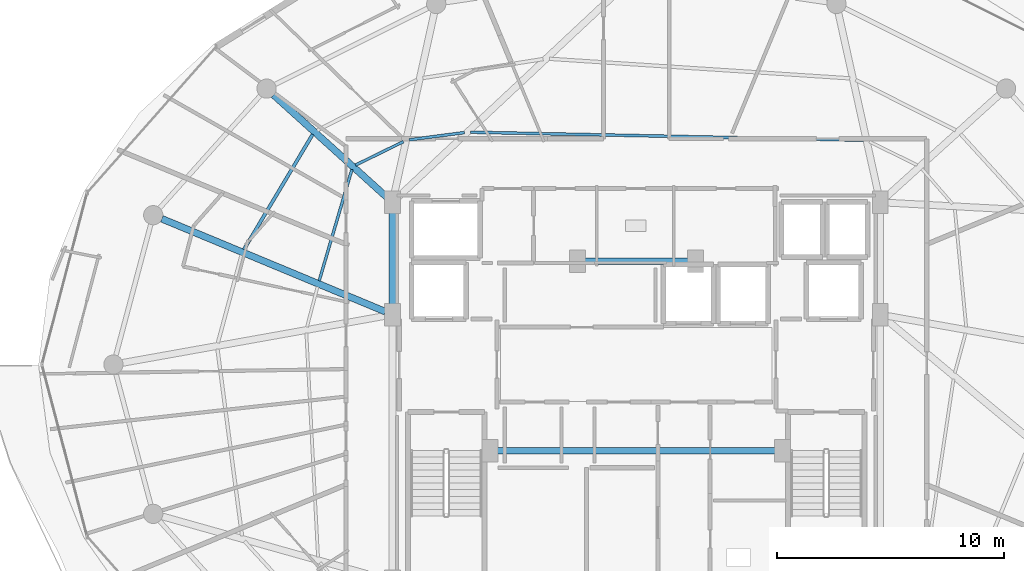
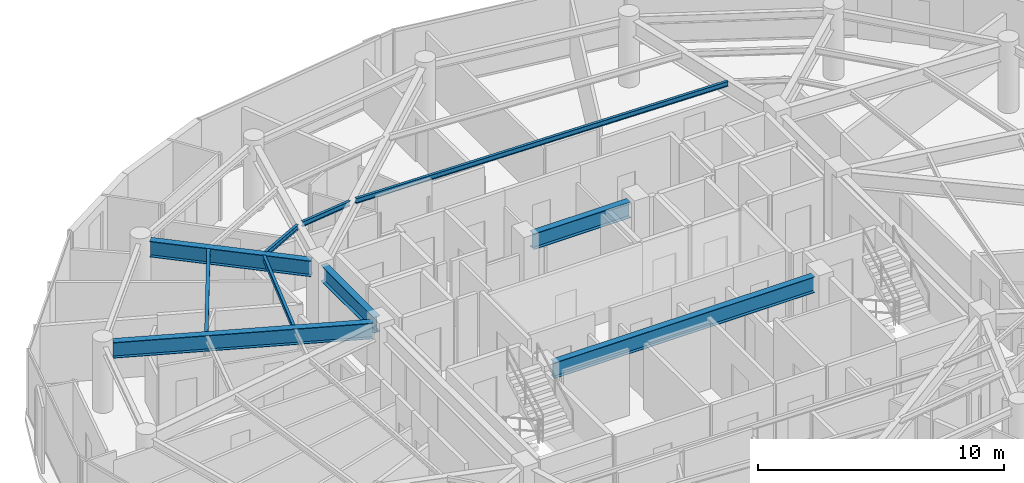
# One storey, part 10 of 30: 10 beams.
"""IFC4 building model written with IfcOpenShell, lengths in metres."""

from ifc_helpers import new_model, si_unit, direction, frame, origin, origin_2d, place, context, subcontext, project, spatial, i_section, extrude, material, material_profile, profile_set, type_object, element, save


model = new_model("IFC4")

# Units and contexts
model_context = context("Model", 3, precision=1e-05, world=origin(), true_north=direction((0.0, 1.0)))
body_context = subcontext(model_context, "Body", "Model", "MODEL_VIEW")
ifc_project = project(units=[si_unit("LENGTHUNIT", "METRE"), si_unit("AREAUNIT", "SQUARE_METRE"), si_unit("VOLUMEUNIT", "CUBIC_METRE"), si_unit("PLANEANGLEUNIT", "RADIAN"), si_unit("MASSUNIT", "GRAM", prefix="KILO")], contexts=[model_context])

# Site, building, storey
site_placement = place(None, origin())
site = spatial("IfcSite", under=ifc_project, at=site_placement, CompositionType="ELEMENT")
building_placement = place(site_placement, origin())
building = spatial("IfcBuilding", under=site, at=building_placement, Name="Vorneva Point Tower", CompositionType="ELEMENT")
storey_placement = place(building_placement, frame((0.0, 0.0, 252.0)))
storey = spatial("IfcBuildingStorey", under=building, at=storey_placement, Name="L68", CompositionType="ELEMENT", Elevation=252.0)

# Beams
ifc_material = material(Name="Steel S355", Category="steel")
ifc_material_profile_1 = material_profile(ifc_material, i_section(OverallWidth=0.300048828125, OverallDepth=0.7880859375, WebThickness=0.014404296875, FlangeThickness=0.02197265625, at=origin_2d()), Name="80Sh1")
ifc_profile_set_1 = profile_set([ifc_material_profile_1], Name="Steel S355")
beam_type_1 = type_object("IfcBeamType", Name="BM-GRD-80Sh1", PredefinedType="USERDEFINED", material=ifc_profile_set_1)
beam_1_placement = place(storey_placement, frame((22.0078125, 37.885498046875, 2.89599609375), z_axis=(0.7420671051, -0.670325601128, 0.0), x_axis=(0.670325601128, 0.7420671051, 0.0)))
element("IfcBeam", 1, at=beam_1_placement, inside=storey, type_object=beam_type_1, Name="L68 Radial Primary Girder 07", ObjectType="GIRDER", PredefinedType="USERDEFINED", context=body_context, shape_type="SweptSolid", body=[
    extrude(i_section(OverallWidth=0.300048828125, OverallDepth=0.7880859375, WebThickness=0.014404296875, FlangeThickness=0.02197265625, at=origin_2d()), origin(), (0.0, 0.0, 1.0), 6.724365234375),
])
beam_2_placement = place(storey_placement, frame((17.0859375, 32.423583984375, 2.89599609375), z_axis=(0.923448932068, -0.383721344027, 0.0), x_axis=(0.383721344027, 0.923448932068, 0.0)))
element("IfcBeam", 2, at=beam_2_placement, inside=storey, type_object=beam_type_1, Name="L68 Radial Primary Girder 08", ObjectType="GIRDER", PredefinedType="USERDEFINED", context=body_context, shape_type="SweptSolid", body=[
    extrude(i_section(OverallWidth=0.300048828125, OverallDepth=0.7880859375, WebThickness=0.014404296875, FlangeThickness=0.02197265625, at=origin_2d()), origin(), (0.0, 0.0, 1.0), 10.666748046875),
])
beam_3_placement = place(storey_placement, frame((27.25, 28.52001953125, 2.89599609375), z_axis=(0.0, 1.0, 0.0), x_axis=(-1.0, 0.0, 0.0)))
element("IfcBeam", 3, at=beam_3_placement, inside=storey, type_object=beam_type_1, Name="L68 Core Tie Girder CT2", ObjectType="GIRDER", PredefinedType="USERDEFINED", context=body_context, shape_type="SweptSolid", body=[
    extrude(i_section(OverallWidth=0.300048828125, OverallDepth=0.7880859375, WebThickness=0.014404296875, FlangeThickness=0.02197265625, at=origin_2d()), origin(), (0.0, 0.0, 1.0), 4.31005859375),
])
beam_4_placement = place(storey_placement, frame((35.719970703125, 30.550048828125, 2.89599609375), z_axis=(1.0, 0.0, 0.0), x_axis=(0.0, 1.0, 0.0)))
element("IfcBeam", 4, at=beam_4_placement, inside=storey, type_object=beam_type_1, Name="L68 Core Tie Girder CT8", ObjectType="GIRDER", PredefinedType="USERDEFINED", context=body_context, shape_type="SweptSolid", body=[
    extrude(i_section(OverallWidth=0.300048828125, OverallDepth=0.7880859375, WebThickness=0.014404296875, FlangeThickness=0.02197265625, at=origin_2d()), origin(), (0.0, 0.0, 1.0), 4.56005859375),
])
beam_5_placement = place(storey_placement, frame((31.8701171875, 22.199951171875, 2.89599609375), z_axis=(1.0, 0.0, 0.0), x_axis=(0.0, 1.0, 0.0)))
element("IfcBeam", 5, at=beam_5_placement, inside=storey, type_object=beam_type_1, Name="L68 Core Tie Girder CT7", ObjectType="GIRDER", PredefinedType="USERDEFINED", context=body_context, shape_type="SweptSolid", body=[
    extrude(i_section(OverallWidth=0.300048828125, OverallDepth=0.7880859375, WebThickness=0.014404296875, FlangeThickness=0.02197265625, at=origin_2d()), origin(), (0.0, 0.0, 1.0), 12.259765625),
])
ifc_material_profile_2 = material_profile(ifc_material, i_section(OverallWidth=0.1240234375, OverallDepth=0.248046875, WebThickness=0.0048828125, FlangeThickness=0.008056640625, at=origin_2d()), Name="25B1")
ifc_profile_set_2 = profile_set([ifc_material_profile_2], Name="Steel S355")
beam_type_2 = type_object("IfcBeamType", Name="BM-JST-25B1", PredefinedType="JOIST", material=ifc_profile_set_2)
beam_6_placement = place(storey_placement, frame((48.0087890625, 35.886474609375, 3.166015625), z_axis=(-0.999791583609, 0.020415419295, 0.0), x_axis=(-0.020415419295, -0.999791583609, 0.0)))
element("IfcBeam", 6, at=beam_6_placement, inside=storey, type_object=beam_type_2, Name="L68 Secondary Floor Beam 2.04", PredefinedType="JOIST", context=body_context, shape_type="SweptSolid", body=[
    extrude(i_section(OverallWidth=0.1240234375, OverallDepth=0.248046875, WebThickness=0.0048828125, FlangeThickness=0.008056640625, at=origin_2d()), origin(), (0.0, 0.0, 1.0), 17.316162109375),
])
beam_7_placement = place(storey_placement, frame((30.421630859375, 36.224853515625, 3.166015625), z_axis=(-0.991292972716, -0.131674759328, 0.0), x_axis=(0.131674759328, -0.991292972716, 0.0)))
element("IfcBeam", 7, at=beam_7_placement, inside=storey, type_object=beam_type_2, Name="L68 Secondary Floor Beam 2.05", PredefinedType="JOIST", context=body_context, shape_type="SweptSolid", body=[
    extrude(i_section(OverallWidth=0.1240234375, OverallDepth=0.248046875, WebThickness=0.0048828125, FlangeThickness=0.008056640625, at=origin_2d()), origin(), (0.0, 0.0, 1.0), 2.452880859375),
])
beam_8_placement = place(storey_placement, frame((27.7294921875, 35.822998046875, 3.166015625), z_axis=(-0.897898931546, -0.440201668249, 0.0), x_axis=(0.440201668249, -0.897898931546, 0.0)))
element("IfcBeam", 8, at=beam_8_placement, inside=storey, type_object=beam_type_2, Name="L68 Secondary Floor Beam 2.06", PredefinedType="JOIST", context=body_context, shape_type="SweptSolid", body=[
    extrude(i_section(OverallWidth=0.1240234375, OverallDepth=0.248046875, WebThickness=0.0048828125, FlangeThickness=0.008056640625, at=origin_2d()), origin(), (0.0, 0.0, 1.0), 2.34423828125),
])
beam_9_placement = place(storey_placement, frame((25.4619140625, 34.59765625, 3.166015625), z_axis=(-0.281938877831, -0.959432368209, 0.0), x_axis=(0.959432368209, -0.281938877831, 0.0)))
element("IfcBeam", 9, at=beam_9_placement, inside=storey, type_object=beam_type_2, Name="L68 Secondary Floor Beam 2.07", PredefinedType="JOIST", context=body_context, shape_type="SweptSolid", body=[
    extrude(i_section(OverallWidth=0.1240234375, OverallDepth=0.248046875, WebThickness=0.0048828125, FlangeThickness=0.008056640625, at=origin_2d()), origin(), (0.0, 0.0, 1.0), 5.1142578125),
])
ifc_material_profile_3 = material_profile(ifc_material, i_section(OverallWidth=0.14892578125, OverallDepth=0.298095703125, WebThickness=0.005615234375, FlangeThickness=0.008056640625, at=origin_2d()), Name="30B1")
ifc_profile_set_3 = profile_set([ifc_material_profile_3], Name="Steel S355")
beam_type_3 = type_object("IfcBeamType", Name="BM-JST-30B1", PredefinedType="JOIST", material=ifc_profile_set_3)
beam_10_placement = place(storey_placement, frame((23.7333984375, 36.144287109375, 3.14111328125), z_axis=(-0.512672626115, -0.858584170849, 0.0), x_axis=(0.858584170849, -0.512672626115, 0.0)))
element("IfcBeam", 10, at=beam_10_placement, inside=storey, type_object=beam_type_3, Name="L68 Secondary Floor Beam 1.07", PredefinedType="JOIST", context=body_context, shape_type="SweptSolid", body=[
    extrude(i_section(OverallWidth=0.14892578125, OverallDepth=0.298095703125, WebThickness=0.005615234375, FlangeThickness=0.008056640625, at=origin_2d()), origin(), (0.0, 0.0, 1.0), 5.91162109375),
])

save(model, "model.ifc")
